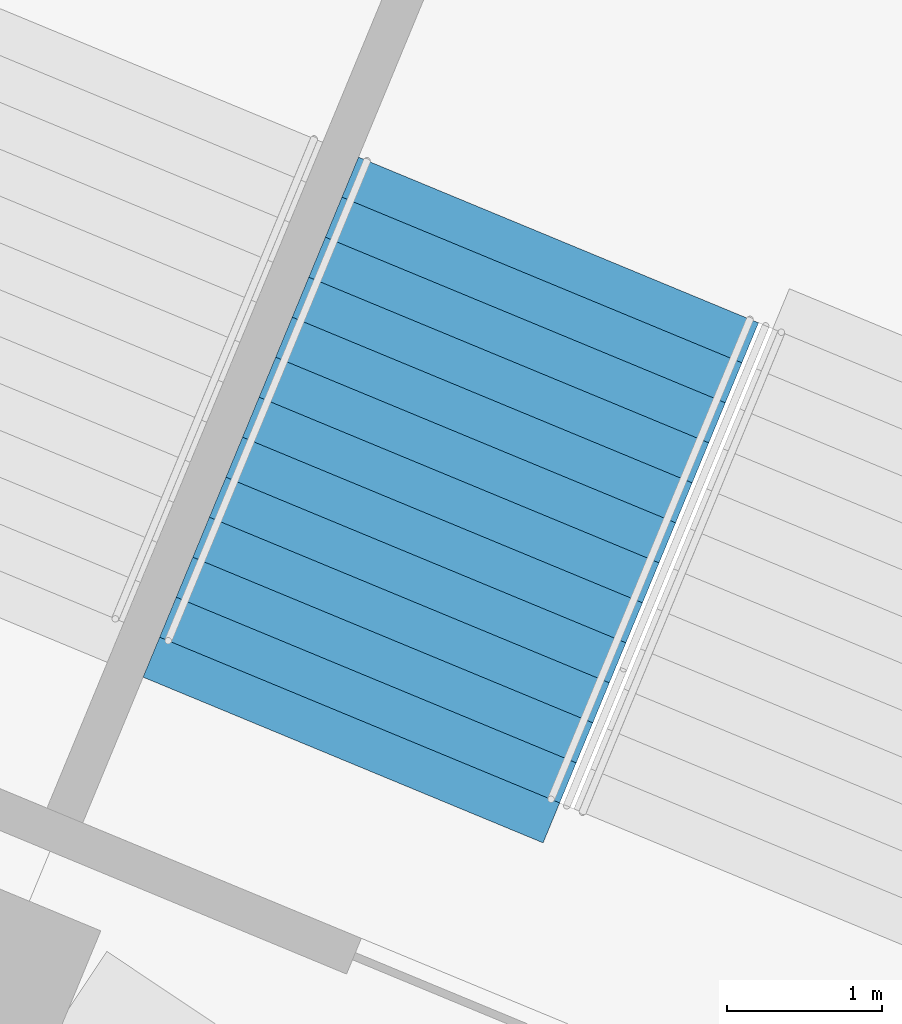
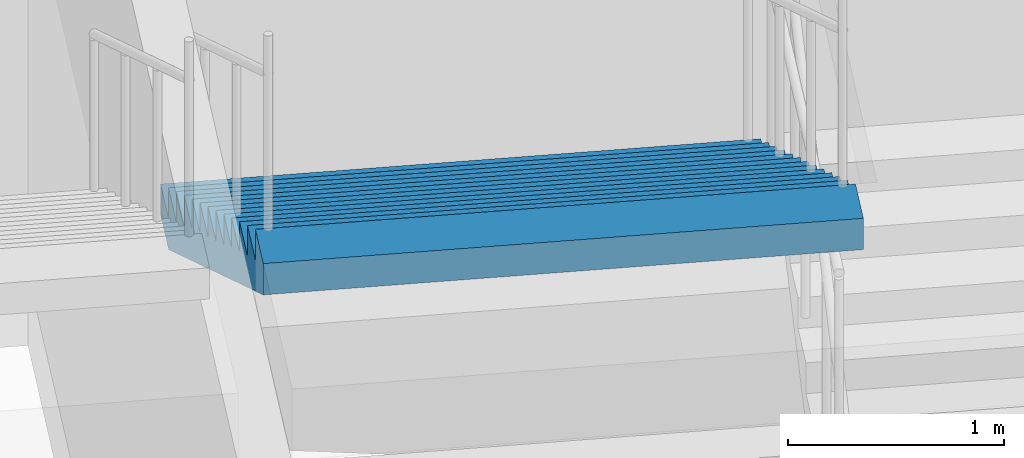
# One storey, part 162 of 177: 1 stair flight, 1 element without a shape of its own.
"""IFC4 building model written with IfcOpenShell, lengths in metres."""

from ifc_helpers import new_model, si_unit, direction, frame, origin, place, context, subcontext, project, spatial, faceted_brep, material, type_object, element, aggregate, save


model = new_model("IFC4")

# Units and contexts
model_context = context("Model", 3, precision=1e-05, world=origin(), true_north=direction((0.0, 1.0)))
body_context = subcontext(model_context, "Body", "Model", "MODEL_VIEW")
ifc_project = project(units=[si_unit("LENGTHUNIT", "METRE"), si_unit("AREAUNIT", "SQUARE_METRE"), si_unit("VOLUMEUNIT", "CUBIC_METRE"), si_unit("PLANEANGLEUNIT", "RADIAN"), si_unit("MASSUNIT", "GRAM", prefix="KILO")], contexts=[model_context])

# Site, building, storey
site_placement = place(None, origin())
site = spatial("IfcSite", under=ifc_project, at=site_placement, CompositionType="ELEMENT")
building_placement = place(site_placement, origin())
building = spatial("IfcBuilding", under=site, at=building_placement, Name="Ogive Plaza Stadium", CompositionType="ELEMENT")
storey_placement = place(building_placement, frame((0.0, 0.0, 18.0)))
storey = spatial("IfcBuildingStorey", under=building, at=storey_placement, Name="L04", CompositionType="ELEMENT", Elevation=18.0)

# Stair, stair flight
ifc_material_1 = material(Name="Concrete C40/50", Category="concrete")
stair_type = type_object("IfcStairType", Name="Exit stair", PredefinedType="STRAIGHT_RUN_STAIR", material=ifc_material_1)
stair_placement = place(storey_placement, origin())
stair = element("IfcStair", 1, at=stair_placement, inside=storey, type_object=stair_type, Name="Exit stair ST38A L04 to L05", PredefinedType="STRAIGHT_RUN_STAIR")
ifc_material_2 = material(Name="Concrete C40/50", Category="concrete")
stair_flight_type = type_object("IfcStairFlightType", Name="Exit stair flight", PredefinedType="STRAIGHT", material=ifc_material_2)
stair_flight_placement = place(storey_placement, frame((52.9013671875, 94.14697265625, 2.25), z_axis=(0.0, 0.0, 1.0), x_axis=(-0.382683432365, -0.923879532511, 0.0)))
stair_flight = element("IfcStairFlight", 2, at=stair_flight_placement, type_object=stair_flight_type, Name="ST38A flight 2", NumberOfRisers=13, NumberOfTreads=12, PredefinedType="STRAIGHT", RiserHeight=0.173076923, TreadLength=0.28, context=body_context, shape_type="Brep", body=[
    faceted_brep([(0.28515625, -1.39990234375, 0.0), (3.639892578125, -1.39990234375, 2.07373046875), (3.639892578125, -1.39990234375, 2.25), (3.360107421875, -1.39990234375, 2.25), (3.360107421875, -1.39990234375, 2.076904296875), (3.080078125, -1.39990234375, 2.076904296875), (3.080078125, -1.39990234375, 1.90380859375), (2.800048828125, -1.39990234375, 1.90380859375), (2.800048828125, -1.39990234375, 1.730712890625), (2.52001953125, -1.39990234375, 1.730712890625), (2.52001953125, -1.39990234375, 1.5576171875), (2.239990234375, -1.39990234375, 1.5576171875), (2.239990234375, -1.39990234375, 1.384521484375), (1.9599609375, -1.39990234375, 1.384521484375), (1.9599609375, -1.39990234375, 1.21142578125), (1.679931640625, -1.39990234375, 1.21142578125), (1.679931640625, -1.39990234375, 1.03857421875), (1.39990234375, -1.39990234375, 1.03857421875), (1.39990234375, -1.39990234375, 0.865478515625), (1.1201171875, -1.39990234375, 0.865478515625), (1.1201171875, -1.39990234375, 0.6923828125), (0.840087890625, -1.39990234375, 0.6923828125), (0.840087890625, -1.39990234375, 0.519287109375), (0.56005859375, -1.39990234375, 0.519287109375), (0.56005859375, -1.39990234375, 0.34619140625), (0.280029296875, -1.39990234375, 0.34619140625), (0.280029296875, -1.39990234375, 0.173095703125), (0.0, -1.39990234375, 0.173095703125), (0.0, -1.39990234375, 0.0), (0.0, 1.39990234375, 0.0), (0.0, 1.39990234375, 0.173095703125), (0.280029296875, 1.39990234375, 0.173095703125), (0.280029296875, 1.39990234375, 0.34619140625), (0.56005859375, 1.39990234375, 0.34619140625), (0.56005859375, 1.39990234375, 0.519287109375), (0.840087890625, 1.39990234375, 0.519287109375), (0.840087890625, 1.39990234375, 0.6923828125), (1.1201171875, 1.39990234375, 0.6923828125), (1.1201171875, 1.39990234375, 0.865478515625), (1.39990234375, 1.39990234375, 0.865478515625), (1.39990234375, 1.39990234375, 1.03857421875), (1.679931640625, 1.39990234375, 1.03857421875), (1.679931640625, 1.39990234375, 1.21142578125), (1.9599609375, 1.39990234375, 1.21142578125), (1.9599609375, 1.39990234375, 1.384521484375), (2.239990234375, 1.39990234375, 1.384521484375), (2.239990234375, 1.39990234375, 1.5576171875), (2.52001953125, 1.39990234375, 1.5576171875), (2.52001953125, 1.39990234375, 1.730712890625), (2.800048828125, 1.39990234375, 1.730712890625), (2.800048828125, 1.39990234375, 1.90380859375), (3.080078125, 1.39990234375, 1.90380859375), (3.080078125, 1.39990234375, 2.076904296875), (3.360107421875, 1.39990234375, 2.076904296875), (3.360107421875, 1.39990234375, 2.25), (3.639892578125, 1.39990234375, 2.25), (3.639892578125, 1.39990234375, 2.07373046875), (0.28515625, 1.39990234375, 0.0), (0.28515625, -1.0888671875, 0.0), (3.639892578125, -1.0888671875, 2.07373046875), (0.28515625, -0.77783203125, 0.0), (3.639892578125, -0.77783203125, 2.07373046875), (0.28515625, -0.466796875, 0.0), (3.639892578125, -0.466796875, 2.07373046875), (0.28515625, -0.155517578125, 0.0), (3.639892578125, -0.155517578125, 2.07373046875), (0.28515625, 0.155517578125, 0.0), (3.639892578125, 0.155517578125, 2.07373046875), (0.28515625, 0.466796875, 0.0), (3.639892578125, 0.466796875, 2.07373046875), (0.28515625, 0.77783203125, 0.0), (3.639892578125, 0.77783203125, 2.07373046875), (0.28515625, 1.0888671875, 0.0), (3.639892578125, 1.0888671875, 2.07373046875), (3.639892578125, -1.0888671875, 2.25), (3.639892578125, -0.77783203125, 2.25), (3.639892578125, -0.466796875, 2.25), (3.639892578125, -0.155517578125, 2.25), (3.639892578125, 0.155517578125, 2.25), (3.639892578125, 0.466796875, 2.25), (3.639892578125, 0.77783203125, 2.25), (3.639892578125, 1.0888671875, 2.25), (3.360107421875, -1.0888671875, 2.25), (3.360107421875, -0.77783203125, 2.25), (3.360107421875, -0.466796875, 2.25), (3.360107421875, -0.155517578125, 2.25), (3.360107421875, 0.155517578125, 2.25), (3.360107421875, 0.466796875, 2.25), (3.360107421875, 0.77783203125, 2.25), (3.360107421875, 1.0888671875, 2.25), (3.360107421875, -1.0888671875, 2.076904296875), (3.360107421875, -0.77783203125, 2.076904296875), (3.360107421875, -0.466796875, 2.076904296875), (3.360107421875, -0.155517578125, 2.076904296875), (3.360107421875, 0.155517578125, 2.076904296875), (3.360107421875, 0.466796875, 2.076904296875), (3.360107421875, 0.77783203125, 2.076904296875), (3.360107421875, 1.0888671875, 2.076904296875), (3.080078125, -1.0888671875, 2.076904296875), (3.080078125, -0.77783203125, 2.076904296875), (3.080078125, -0.466796875, 2.076904296875), (3.080078125, -0.155517578125, 2.076904296875), (3.080078125, 0.155517578125, 2.076904296875), (3.080078125, 0.466796875, 2.076904296875), (3.080078125, 0.77783203125, 2.076904296875), (3.080078125, 1.0888671875, 2.076904296875), (3.080078125, -1.0888671875, 1.90380859375), (3.080078125, -0.77783203125, 1.90380859375), (3.080078125, -0.466796875, 1.90380859375), (3.080078125, -0.155517578125, 1.90380859375), (3.080078125, 0.155517578125, 1.90380859375), (3.080078125, 0.466796875, 1.90380859375), (3.080078125, 0.77783203125, 1.90380859375), (3.080078125, 1.0888671875, 1.90380859375), (2.800048828125, -1.0888671875, 1.90380859375), (2.800048828125, -0.77783203125, 1.90380859375), (2.800048828125, -0.466796875, 1.90380859375), (2.800048828125, -0.155517578125, 1.90380859375), (2.800048828125, 0.155517578125, 1.90380859375), (2.800048828125, 0.466796875, 1.90380859375), (2.800048828125, 0.77783203125, 1.90380859375), (2.800048828125, 1.0888671875, 1.90380859375), (2.800048828125, -1.0888671875, 1.730712890625), (2.800048828125, -0.77783203125, 1.730712890625), (2.800048828125, -0.466796875, 1.730712890625), (2.800048828125, -0.155517578125, 1.730712890625), (2.800048828125, 0.155517578125, 1.730712890625), (2.800048828125, 0.466796875, 1.730712890625), (2.800048828125, 0.77783203125, 1.730712890625), (2.800048828125, 1.0888671875, 1.730712890625), (2.52001953125, -1.0888671875, 1.730712890625), (2.52001953125, -0.77783203125, 1.730712890625), (2.52001953125, -0.466796875, 1.730712890625), (2.52001953125, -0.155517578125, 1.730712890625), (2.52001953125, 0.155517578125, 1.730712890625), (2.52001953125, 0.466796875, 1.730712890625), (2.52001953125, 0.77783203125, 1.730712890625), (2.52001953125, 1.0888671875, 1.730712890625), (2.52001953125, -1.0888671875, 1.5576171875), (2.52001953125, -0.77783203125, 1.5576171875), (2.52001953125, -0.466796875, 1.5576171875), (2.52001953125, -0.155517578125, 1.5576171875), (2.52001953125, 0.155517578125, 1.5576171875), (2.52001953125, 0.466796875, 1.5576171875), (2.52001953125, 0.77783203125, 1.5576171875), (2.52001953125, 1.0888671875, 1.5576171875), (2.239990234375, -1.0888671875, 1.5576171875), (2.239990234375, -0.77783203125, 1.5576171875), (2.239990234375, -0.466796875, 1.5576171875), (2.239990234375, -0.155517578125, 1.5576171875), (2.239990234375, 0.155517578125, 1.5576171875), (2.239990234375, 0.466796875, 1.5576171875), (2.239990234375, 0.77783203125, 1.5576171875), (2.239990234375, 1.0888671875, 1.5576171875), (2.239990234375, -1.0888671875, 1.384521484375), (2.239990234375, -0.77783203125, 1.384521484375), (2.239990234375, -0.466796875, 1.384521484375), (2.239990234375, -0.155517578125, 1.384521484375), (2.239990234375, 0.155517578125, 1.384521484375), (2.239990234375, 0.466796875, 1.384521484375), (2.239990234375, 0.77783203125, 1.384521484375), (2.239990234375, 1.0888671875, 1.384521484375), (1.9599609375, -1.0888671875, 1.384521484375), (1.9599609375, -0.77783203125, 1.384521484375), (1.9599609375, -0.466796875, 1.384521484375), (1.9599609375, -0.155517578125, 1.384521484375), (1.9599609375, 0.155517578125, 1.384521484375), (1.9599609375, 0.466796875, 1.384521484375), (1.9599609375, 0.77783203125, 1.384521484375), (1.9599609375, 1.0888671875, 1.384521484375), (1.9599609375, -1.0888671875, 1.21142578125), (1.9599609375, -0.77783203125, 1.21142578125), (1.9599609375, -0.466796875, 1.21142578125), (1.9599609375, -0.155517578125, 1.21142578125), (1.9599609375, 0.155517578125, 1.21142578125), (1.9599609375, 0.466796875, 1.21142578125), (1.9599609375, 0.77783203125, 1.21142578125), (1.9599609375, 1.0888671875, 1.21142578125), (1.679931640625, -1.0888671875, 1.21142578125), (1.679931640625, -0.77783203125, 1.21142578125), (1.679931640625, -0.466796875, 1.21142578125), (1.679931640625, -0.155517578125, 1.21142578125), (1.679931640625, 0.155517578125, 1.21142578125), (1.679931640625, 0.466796875, 1.21142578125), (1.679931640625, 0.77783203125, 1.21142578125), (1.679931640625, 1.0888671875, 1.21142578125), (1.679931640625, -1.0888671875, 1.03857421875), (1.679931640625, -0.77783203125, 1.03857421875), (1.679931640625, -0.466796875, 1.03857421875), (1.679931640625, -0.155517578125, 1.03857421875), (1.679931640625, 0.155517578125, 1.03857421875), (1.679931640625, 0.466796875, 1.03857421875), (1.679931640625, 0.77783203125, 1.03857421875), (1.679931640625, 1.0888671875, 1.03857421875), (1.39990234375, -1.0888671875, 1.03857421875), (1.39990234375, -0.77783203125, 1.03857421875), (1.39990234375, -0.466796875, 1.03857421875), (1.39990234375, -0.155517578125, 1.03857421875), (1.39990234375, 0.155517578125, 1.03857421875), (1.39990234375, 0.466796875, 1.03857421875), (1.39990234375, 0.77783203125, 1.03857421875), (1.39990234375, 1.0888671875, 1.03857421875), (1.39990234375, -1.0888671875, 0.865478515625), (1.39990234375, -0.77783203125, 0.865478515625), (1.39990234375, -0.466796875, 0.865478515625), (1.39990234375, -0.155517578125, 0.865478515625), (1.39990234375, 0.155517578125, 0.865478515625), (1.39990234375, 0.466796875, 0.865478515625), (1.39990234375, 0.77783203125, 0.865478515625), (1.39990234375, 1.0888671875, 0.865478515625), (1.1201171875, -1.0888671875, 0.865478515625), (1.1201171875, -0.77783203125, 0.865478515625), (1.1201171875, -0.466796875, 0.865478515625), (1.1201171875, -0.155517578125, 0.865478515625), (1.1201171875, 0.155517578125, 0.865478515625), (1.1201171875, 0.466796875, 0.865478515625), (1.1201171875, 0.77783203125, 0.865478515625), (1.1201171875, 1.0888671875, 0.865478515625), (1.1201171875, -1.0888671875, 0.6923828125), (1.1201171875, -0.77783203125, 0.6923828125), (1.1201171875, -0.466796875, 0.6923828125), (1.1201171875, -0.155517578125, 0.6923828125), (1.1201171875, 0.155517578125, 0.6923828125), (1.1201171875, 0.466796875, 0.6923828125), (1.1201171875, 0.77783203125, 0.6923828125), (1.1201171875, 1.0888671875, 0.6923828125), (0.840087890625, -1.0888671875, 0.6923828125), (0.840087890625, -0.77783203125, 0.6923828125), (0.840087890625, -0.466796875, 0.6923828125), (0.840087890625, -0.155517578125, 0.6923828125), (0.840087890625, 0.155517578125, 0.6923828125), (0.840087890625, 0.466796875, 0.6923828125), (0.840087890625, 0.77783203125, 0.6923828125), (0.840087890625, 1.0888671875, 0.6923828125), (0.840087890625, -1.0888671875, 0.519287109375), (0.840087890625, -0.77783203125, 0.519287109375), (0.840087890625, -0.466796875, 0.519287109375), (0.840087890625, -0.155517578125, 0.519287109375), (0.840087890625, 0.155517578125, 0.519287109375), (0.840087890625, 0.466796875, 0.519287109375), (0.840087890625, 0.77783203125, 0.519287109375), (0.840087890625, 1.0888671875, 0.519287109375), (0.56005859375, -1.0888671875, 0.519287109375), (0.56005859375, -0.77783203125, 0.519287109375), (0.56005859375, -0.466796875, 0.519287109375), (0.56005859375, -0.155517578125, 0.519287109375), (0.56005859375, 0.155517578125, 0.519287109375), (0.56005859375, 0.466796875, 0.519287109375), (0.56005859375, 0.77783203125, 0.519287109375), (0.56005859375, 1.0888671875, 0.519287109375), (0.56005859375, -1.0888671875, 0.34619140625), (0.56005859375, -0.77783203125, 0.34619140625), (0.56005859375, -0.466796875, 0.34619140625), (0.56005859375, -0.155517578125, 0.34619140625), (0.56005859375, 0.155517578125, 0.34619140625), (0.56005859375, 0.466796875, 0.34619140625), (0.56005859375, 0.77783203125, 0.34619140625), (0.56005859375, 1.0888671875, 0.34619140625), (0.280029296875, -1.0888671875, 0.34619140625), (0.280029296875, -0.77783203125, 0.34619140625), (0.280029296875, -0.466796875, 0.34619140625), (0.280029296875, -0.155517578125, 0.34619140625), (0.280029296875, 0.155517578125, 0.34619140625), (0.280029296875, 0.466796875, 0.34619140625), (0.280029296875, 0.77783203125, 0.34619140625), (0.280029296875, 1.0888671875, 0.34619140625), (0.280029296875, -1.0888671875, 0.173095703125), (0.280029296875, -0.77783203125, 0.173095703125), (0.280029296875, -0.466796875, 0.173095703125), (0.280029296875, -0.155517578125, 0.173095703125), (0.280029296875, 0.155517578125, 0.173095703125), (0.280029296875, 0.466796875, 0.173095703125), (0.280029296875, 0.77783203125, 0.173095703125), (0.280029296875, 1.0888671875, 0.173095703125), (0.0, -1.0888671875, 0.173095703125), (0.0, -0.77783203125, 0.173095703125), (0.0, -0.466796875, 0.173095703125), (0.0, -0.155517578125, 0.173095703125), (0.0, 0.155517578125, 0.173095703125), (0.0, 0.466796875, 0.173095703125), (0.0, 0.77783203125, 0.173095703125), (0.0, 1.0888671875, 0.173095703125), (0.0, -1.0888671875, 0.0), (0.0, -0.77783203125, 0.0), (0.0, -0.466796875, 0.0), (0.0, -0.155517578125, 0.0), (0.0, 0.155517578125, 0.0), (0.0, 0.466796875, 0.0), (0.0, 0.77783203125, 0.0), (0.0, 1.0888671875, 0.0)], [[[0, 1, 2, 3, 4, 5, 6, 7, 8, 9, 10, 11, 12, 13, 14, 15, 16, 17, 18, 19, 20, 21, 22, 23, 24, 25, 26, 27, 28]], [[29, 30, 31, 32, 33, 34, 35, 36, 37, 38, 39, 40, 41, 42, 43, 44, 45, 46, 47, 48, 49, 50, 51, 52, 53, 54, 55, 56, 57]], [[0, 58, 59, 1]], [[58, 60, 61, 59]], [[60, 62, 63, 61]], [[62, 64, 65, 63]], [[64, 66, 67, 65]], [[66, 68, 69, 67]], [[68, 70, 71, 69]], [[70, 72, 73, 71]], [[72, 57, 56, 73]], [[1, 59, 74, 2]], [[59, 61, 75, 74]], [[61, 63, 76, 75]], [[63, 65, 77, 76]], [[65, 67, 78, 77]], [[67, 69, 79, 78]], [[69, 71, 80, 79]], [[71, 73, 81, 80]], [[73, 56, 55, 81]], [[2, 74, 82, 3]], [[74, 75, 83, 82]], [[75, 76, 84, 83]], [[76, 77, 85, 84]], [[77, 78, 86, 85]], [[78, 79, 87, 86]], [[79, 80, 88, 87]], [[80, 81, 89, 88]], [[81, 55, 54, 89]], [[3, 82, 90, 4]], [[82, 83, 91, 90]], [[83, 84, 92, 91]], [[84, 85, 93, 92]], [[85, 86, 94, 93]], [[86, 87, 95, 94]], [[87, 88, 96, 95]], [[88, 89, 97, 96]], [[89, 54, 53, 97]], [[4, 90, 98, 5]], [[90, 91, 99, 98]], [[91, 92, 100, 99]], [[92, 93, 101, 100]], [[93, 94, 102, 101]], [[94, 95, 103, 102]], [[95, 96, 104, 103]], [[96, 97, 105, 104]], [[97, 53, 52, 105]], [[5, 98, 106, 6]], [[98, 99, 107, 106]], [[99, 100, 108, 107]], [[100, 101, 109, 108]], [[101, 102, 110, 109]], [[102, 103, 111, 110]], [[103, 104, 112, 111]], [[104, 105, 113, 112]], [[105, 52, 51, 113]], [[6, 106, 114, 7]], [[106, 107, 115, 114]], [[107, 108, 116, 115]], [[108, 109, 117, 116]], [[109, 110, 118, 117]], [[110, 111, 119, 118]], [[111, 112, 120, 119]], [[112, 113, 121, 120]], [[113, 51, 50, 121]], [[7, 114, 122, 8]], [[114, 115, 123, 122]], [[115, 116, 124, 123]], [[116, 117, 125, 124]], [[117, 118, 126, 125]], [[118, 119, 127, 126]], [[119, 120, 128, 127]], [[120, 121, 129, 128]], [[121, 50, 49, 129]], [[8, 122, 130, 9]], [[122, 123, 131, 130]], [[123, 124, 132, 131]], [[124, 125, 133, 132]], [[125, 126, 134, 133]], [[126, 127, 135, 134]], [[127, 128, 136, 135]], [[128, 129, 137, 136]], [[129, 49, 48, 137]], [[9, 130, 138, 10]], [[130, 131, 139, 138]], [[131, 132, 140, 139]], [[132, 133, 141, 140]], [[133, 134, 142, 141]], [[134, 135, 143, 142]], [[135, 136, 144, 143]], [[136, 137, 145, 144]], [[137, 48, 47, 145]], [[10, 138, 146, 11]], [[138, 139, 147, 146]], [[139, 140, 148, 147]], [[140, 141, 149, 148]], [[141, 142, 150, 149]], [[142, 143, 151, 150]], [[143, 144, 152, 151]], [[144, 145, 153, 152]], [[145, 47, 46, 153]], [[11, 146, 154, 12]], [[146, 147, 155, 154]], [[147, 148, 156, 155]], [[148, 149, 157, 156]], [[149, 150, 158, 157]], [[150, 151, 159, 158]], [[151, 152, 160, 159]], [[152, 153, 161, 160]], [[153, 46, 45, 161]], [[12, 154, 162, 13]], [[154, 155, 163, 162]], [[155, 156, 164, 163]], [[156, 157, 165, 164]], [[157, 158, 166, 165]], [[158, 159, 167, 166]], [[159, 160, 168, 167]], [[160, 161, 169, 168]], [[161, 45, 44, 169]], [[13, 162, 170, 14]], [[162, 163, 171, 170]], [[163, 164, 172, 171]], [[164, 165, 173, 172]], [[165, 166, 174, 173]], [[166, 167, 175, 174]], [[167, 168, 176, 175]], [[168, 169, 177, 176]], [[169, 44, 43, 177]], [[14, 170, 178, 15]], [[170, 171, 179, 178]], [[171, 172, 180, 179]], [[172, 173, 181, 180]], [[173, 174, 182, 181]], [[174, 175, 183, 182]], [[175, 176, 184, 183]], [[176, 177, 185, 184]], [[177, 43, 42, 185]], [[15, 178, 186, 16]], [[178, 179, 187, 186]], [[179, 180, 188, 187]], [[180, 181, 189, 188]], [[181, 182, 190, 189]], [[182, 183, 191, 190]], [[183, 184, 192, 191]], [[184, 185, 193, 192]], [[185, 42, 41, 193]], [[16, 186, 194, 17]], [[186, 187, 195, 194]], [[187, 188, 196, 195]], [[188, 189, 197, 196]], [[189, 190, 198, 197]], [[190, 191, 199, 198]], [[191, 192, 200, 199]], [[192, 193, 201, 200]], [[193, 41, 40, 201]], [[17, 194, 202, 18]], [[194, 195, 203, 202]], [[195, 196, 204, 203]], [[196, 197, 205, 204]], [[197, 198, 206, 205]], [[198, 199, 207, 206]], [[199, 200, 208, 207]], [[200, 201, 209, 208]], [[201, 40, 39, 209]], [[18, 202, 210, 19]], [[202, 203, 211, 210]], [[203, 204, 212, 211]], [[204, 205, 213, 212]], [[205, 206, 214, 213]], [[206, 207, 215, 214]], [[207, 208, 216, 215]], [[208, 209, 217, 216]], [[209, 39, 38, 217]], [[19, 210, 218, 20]], [[210, 211, 219, 218]], [[211, 212, 220, 219]], [[212, 213, 221, 220]], [[213, 214, 222, 221]], [[214, 215, 223, 222]], [[215, 216, 224, 223]], [[216, 217, 225, 224]], [[217, 38, 37, 225]], [[20, 218, 226, 21]], [[218, 219, 227, 226]], [[219, 220, 228, 227]], [[220, 221, 229, 228]], [[221, 222, 230, 229]], [[222, 223, 231, 230]], [[223, 224, 232, 231]], [[224, 225, 233, 232]], [[225, 37, 36, 233]], [[21, 226, 234, 22]], [[226, 227, 235, 234]], [[227, 228, 236, 235]], [[228, 229, 237, 236]], [[229, 230, 238, 237]], [[230, 231, 239, 238]], [[231, 232, 240, 239]], [[232, 233, 241, 240]], [[233, 36, 35, 241]], [[22, 234, 242, 23]], [[234, 235, 243, 242]], [[235, 236, 244, 243]], [[236, 237, 245, 244]], [[237, 238, 246, 245]], [[238, 239, 247, 246]], [[239, 240, 248, 247]], [[240, 241, 249, 248]], [[241, 35, 34, 249]], [[23, 242, 250, 24]], [[242, 243, 251, 250]], [[243, 244, 252, 251]], [[244, 245, 253, 252]], [[245, 246, 254, 253]], [[246, 247, 255, 254]], [[247, 248, 256, 255]], [[248, 249, 257, 256]], [[249, 34, 33, 257]], [[24, 250, 258, 25]], [[250, 251, 259, 258]], [[251, 252, 260, 259]], [[252, 253, 261, 260]], [[253, 254, 262, 261]], [[254, 255, 263, 262]], [[255, 256, 264, 263]], [[256, 257, 265, 264]], [[257, 33, 32, 265]], [[25, 258, 266, 26]], [[258, 259, 267, 266]], [[259, 260, 268, 267]], [[260, 261, 269, 268]], [[261, 262, 270, 269]], [[262, 263, 271, 270]], [[263, 264, 272, 271]], [[264, 265, 273, 272]], [[265, 32, 31, 273]], [[26, 266, 274, 27]], [[266, 267, 275, 274]], [[267, 268, 276, 275]], [[268, 269, 277, 276]], [[269, 270, 278, 277]], [[270, 271, 279, 278]], [[271, 272, 280, 279]], [[272, 273, 281, 280]], [[273, 31, 30, 281]], [[27, 274, 282, 28]], [[274, 275, 283, 282]], [[275, 276, 284, 283]], [[276, 277, 285, 284]], [[277, 278, 286, 285]], [[278, 279, 287, 286]], [[279, 280, 288, 287]], [[280, 281, 289, 288]], [[281, 30, 29, 289]], [[28, 282, 58, 0]], [[282, 283, 60, 58]], [[283, 284, 62, 60]], [[284, 285, 64, 62]], [[285, 286, 66, 64]], [[286, 287, 68, 66]], [[287, 288, 70, 68]], [[288, 289, 72, 70]], [[289, 29, 57, 72]]]),
])
aggregate(stair, [stair_flight])

save(model, "model.ifc")
